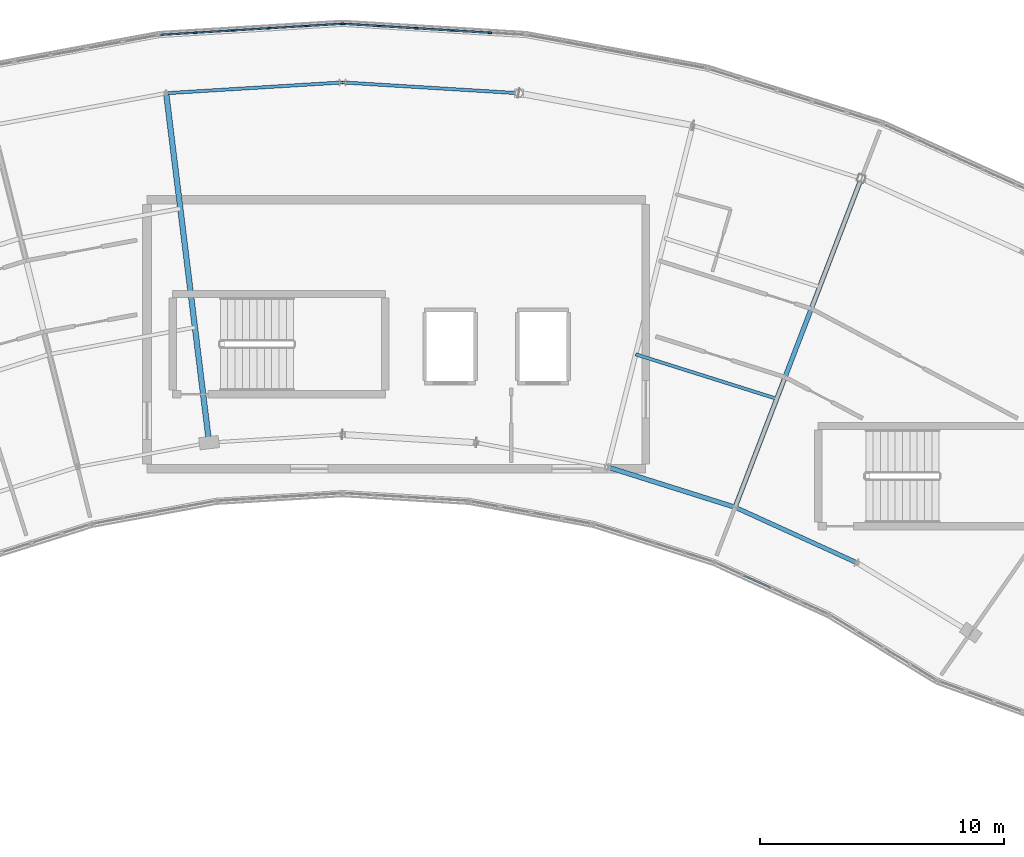
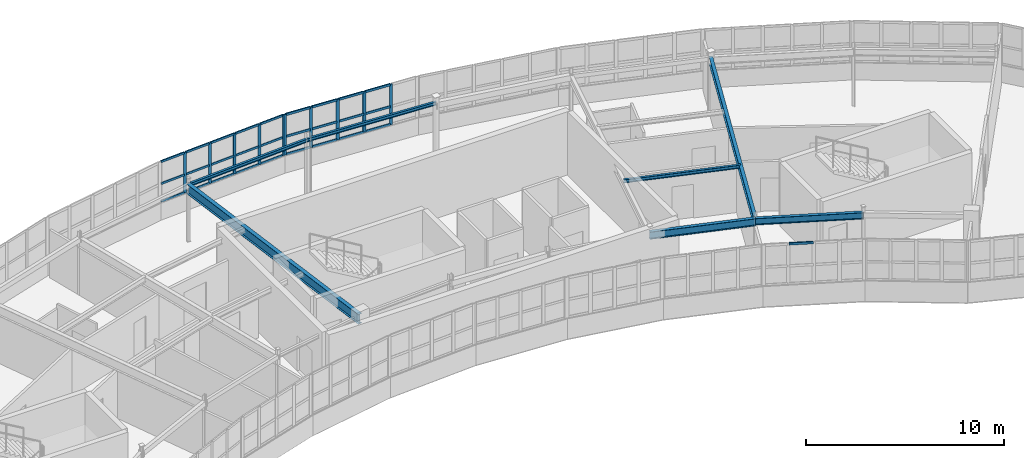
# One storey, part 31 of 65: 38 members, 7 beams, 3 elements without a shape of their own.
"""IFC4 building model written with IfcOpenShell, lengths in metres."""

from ifc_helpers import new_model, si_unit, direction, frame, origin, origin_2d, place, context, subcontext, project, spatial, rectangle, i_section, extrude, material, layer, layer_set, material_profile, profile_set, type_object, element, aggregate, save


model = new_model("IFC4")

# Units and contexts
model_context = context("Model", 3, precision=1e-05, world=origin(), true_north=direction((0.0, 1.0)))
body_context = subcontext(model_context, "Body", "Model", "MODEL_VIEW")
ifc_project = project(units=[si_unit("LENGTHUNIT", "METRE"), si_unit("AREAUNIT", "SQUARE_METRE"), si_unit("VOLUMEUNIT", "CUBIC_METRE"), si_unit("PLANEANGLEUNIT", "RADIAN"), si_unit("MASSUNIT", "GRAM", prefix="KILO")], contexts=[model_context])

# Site, building, storey
site_placement = place(None, origin())
site = spatial("IfcSite", under=ifc_project, at=site_placement, CompositionType="ELEMENT")
building_placement = place(site_placement, origin())
building = spatial("IfcBuilding", under=site, at=building_placement, Name="Tarnwether General Hospital", CompositionType="ELEMENT")
storey_placement = place(building_placement, frame((0.0, 0.0, 22.199951171875)))
storey = spatial("IfcBuildingStorey", under=building, at=storey_placement, Name="L05", CompositionType="ELEMENT", Elevation=22.199951171875)

# Beams
ifc_material_1 = material(Name="Steel Grade 350 (350 MPa)", Category="steel")
ifc_material_profile_1 = material_profile(ifc_material_1, i_section(OverallWidth=0.22802734375, OverallDepth=0.60205078125, WebThickness=0.010498046875, FlangeThickness=0.014892578125, at=origin_2d()), Name="610UB101")
ifc_profile_set_1 = profile_set([ifc_material_profile_1], Name="Steel Grade 350 (350 MPa)")
beam_type_1 = type_object("IfcBeamType", Name="BM-G05", PredefinedType="BEAM", material=ifc_profile_set_1)
beam_1_placement = place(storey_placement, frame((84.784912109375, 121.759033203125, 3.259033203125), z_axis=(0.121881045946, -0.99254471468, 0.0), x_axis=(0.99254471468, 0.121881045946, 0.0)))
element("IfcBeam", 1, at=beam_1_placement, inside=storey, type_object=beam_type_1, Name="Curved Ward NW Radial Girder BMG-L05-8478_12176-8654_10747-1984", PredefinedType="BEAM", context=body_context, shape_type="SweptSolid", body=[
    extrude(i_section(OverallWidth=0.22802734375, OverallDepth=0.60205078125, WebThickness=0.010498046875, FlangeThickness=0.014892578125, at=origin_2d()), origin(), (0.0, 0.0, 1.0), 14.400390625),
])
ifc_material_2 = material(Name="Steel Grade 350 (350 MPa)", Category="steel")
ifc_material_profile_2 = material_profile(ifc_material_2, i_section(OverallWidth=0.18994140625, OverallDepth=0.45703125, WebThickness=0.009033203125, FlangeThickness=0.014404296875, at=origin_2d()), Name="460UB74.6")
ifc_profile_set_2 = profile_set([ifc_material_profile_2], Name="Steel Grade 350 (350 MPa)")
beam_type_2 = type_object("IfcBeamType", Name="BM-G09", PredefinedType="BEAM", material=ifc_profile_set_2)
beam_2_placement = place(storey_placement, frame((113.215087890625, 118.26806640625, 3.33154296875), z_axis=(-0.358334838026, -0.933593136145, 0.0), x_axis=(0.933593136145, -0.358334838026, 0.0)))
element("IfcBeam", 2, at=beam_2_placement, inside=storey, type_object=beam_type_2, Name="Curved Ward NW Radial Girder BMG-L05-11322_11827-10806_10482-1986", PredefinedType="BEAM", context=body_context, shape_type="SweptSolid", body=[
    extrude(i_section(OverallWidth=0.18994140625, OverallDepth=0.45703125, WebThickness=0.009033203125, FlangeThickness=0.014404296875, at=origin_2d()), origin(), (0.0, 0.0, 1.0), 14.400390625),
])
ifc_material_3 = material(Name="Steel Grade 350 (350 MPa)", Category="steel")
ifc_material_profile_3 = material_profile(ifc_material_3, i_section(OverallWidth=0.134033203125, OverallDepth=0.20703125, WebThickness=0.00634765625, FlangeThickness=0.009521484375, at=origin_2d()), Name="200UB29.8")
ifc_profile_set_3 = profile_set([ifc_material_profile_3], Name="Steel Grade 350 (350 MPa)")
beam_type_3 = type_object("IfcBeamType", Name="BM-J12", PredefinedType="JOIST", material=ifc_profile_set_3)
beam_3_placement = place(storey_placement, frame((103.988037109375, 111.080078125, 3.45654296875), z_axis=(0.953725879816, -0.300677478654, 0.0), x_axis=(0.300677478654, 0.953725879816, 0.0)))
element("IfcBeam", 3, at=beam_3_placement, inside=storey, type_object=beam_type_3, Name="Curved Ward NW Chord Joist BMG-L05-10399_11108-10976_10926-2008", PredefinedType="JOIST", context=body_context, shape_type="SweptSolid", body=[
    extrude(i_section(OverallWidth=0.134033203125, OverallDepth=0.20703125, WebThickness=0.00634765625, FlangeThickness=0.009521484375, at=origin_2d()), origin(), (0.0, 0.0, 1.0), 6.050048828125),
])
ifc_material_4 = material(Name="Steel Grade 350 (350 MPa)", Category="steel")
ifc_material_profile_4 = material_profile(ifc_material_4, i_section(OverallWidth=0.18994140625, OverallDepth=0.4541015625, WebThickness=0.008544921875, FlangeThickness=0.0126953125, at=origin_2d()), Name="460UB67.1")
ifc_profile_set_4 = profile_set([ifc_material_profile_4], Name="Steel Grade 350 (350 MPa)")
beam_type_4 = type_object("IfcBeamType", Name="BM-SP1", PredefinedType="SPANDREL", material=ifc_profile_set_4)
beam_4_placement = place(storey_placement, frame((102.837890625, 106.468994140625, 3.3330078125), z_axis=(0.953712084488, -0.300721232874, 0.0), x_axis=(0.300721232874, 0.953712084488, 0.0)))
element("IfcBeam", 4, at=beam_4_placement, inside=storey, type_object=beam_type_4, Name="Curved Ward NW Inner Spandrel BMG-L05-10284_10647-10806_10482-2006", PredefinedType="SPANDREL", context=body_context, shape_type="SweptSolid", body=[
    extrude(i_section(OverallWidth=0.18994140625, OverallDepth=0.4541015625, WebThickness=0.008544921875, FlangeThickness=0.0126953125, at=origin_2d()), origin(), (0.0, 0.0, 1.0), 5.47021484375),
])
ifc_material_5 = material(Name="Steel Grade 350 (350 MPa)", Category="steel")
ifc_material_profile_5 = material_profile(ifc_material_5, i_section(OverallWidth=0.177978515625, OverallDepth=0.403076171875, WebThickness=0.007568359375, FlangeThickness=0.010986328125, at=origin_2d()), Name="410UB53.7")
ifc_profile_set_5 = profile_set([ifc_material_profile_5], Name="Steel Grade 350 (350 MPa)")
beam_type_5 = type_object("IfcBeamType", Name="BM-SP2", PredefinedType="SPANDREL", material=ifc_profile_set_5)
beam_5_placement = place(storey_placement, frame((108.054931640625, 104.823974609375, 3.358642578125), z_axis=(0.909968605358, -0.414677148228, 0.0), x_axis=(0.414677148228, 0.909968605358, 0.0)))
element("IfcBeam", 5, at=beam_5_placement, inside=storey, type_object=beam_type_5, Name="Curved Ward NW Inner Spandrel BMG-L05-10806_10482-11303_10256-2010", PredefinedType="SPANDREL", context=body_context, shape_type="SweptSolid", body=[
    extrude(i_section(OverallWidth=0.177978515625, OverallDepth=0.403076171875, WebThickness=0.007568359375, FlangeThickness=0.010986328125, at=origin_2d()), origin(), (0.0, 0.0, 1.0), 5.469482421875),
])
ifc_material_6 = material(Name="Steel Grade 350 (350 MPa)", Category="steel")
ifc_material_profile_6 = material_profile(ifc_material_6, i_section(OverallWidth=0.133056640625, OverallDepth=0.202880859375, WebThickness=0.005859375, FlangeThickness=0.0078125, at=origin_2d()), Name="200UB25.4")
ifc_profile_set_6 = profile_set([ifc_material_profile_6], Name="Steel Grade 350 (350 MPa)")
beam_type_6 = type_object("IfcBeamType", Name="BM-SP5", PredefinedType="SPANDREL", material=ifc_profile_set_6)
beam_6_placement = place(storey_placement, frame((84.784912109375, 121.759033203125, 3.45849609375), z_axis=(0.998137964221, 0.060996757127, 0.0), x_axis=(-0.060996757127, 0.998137964221, 0.0)))
element("IfcBeam", 6, at=beam_6_placement, inside=storey, type_object=beam_type_6, Name="Curved Ward NW Outer Spandrel BMG-L05-8478_12176-9200_12220-1999", PredefinedType="SPANDREL", context=body_context, shape_type="SweptSolid", body=[
    extrude(i_section(OverallWidth=0.133056640625, OverallDepth=0.202880859375, WebThickness=0.005859375, FlangeThickness=0.0078125, at=origin_2d()), origin(), (0.0, 0.0, 1.0), 7.228515625),
])
ifc_material_7 = material(Name="Steel Grade 350 (350 MPa)", Category="steel")
ifc_material_profile_7 = material_profile(ifc_material_7, i_section(OverallWidth=0.133056640625, OverallDepth=0.201904296875, WebThickness=0.0048828125, FlangeThickness=0.007080078125, at=origin_2d()), Name="200UB22.3")
ifc_profile_set_7 = profile_set([ifc_material_profile_7], Name="Steel Grade 350 (350 MPa)")
beam_type_7 = type_object("IfcBeamType", Name="BM-SP6", PredefinedType="SPANDREL", material=ifc_profile_set_7)
beam_7_placement = place(storey_placement, frame((92.0, 122.199951171875, 3.458984375), z_axis=(0.998137964221, -0.060996757127, 0.0), x_axis=(0.060996757127, 0.998137964221, 0.0)))
element("IfcBeam", 7, at=beam_7_placement, inside=storey, type_object=beam_type_7, Name="Curved Ward NW Outer Spandrel BMG-L05-9200_12220-9922_12176-2001", PredefinedType="SPANDREL", context=body_context, shape_type="SweptSolid", body=[
    extrude(i_section(OverallWidth=0.133056640625, OverallDepth=0.201904296875, WebThickness=0.0048828125, FlangeThickness=0.007080078125, at=origin_2d()), origin(), (0.0, 0.0, 1.0), 7.228515625),
])

# Curtain wall, members
ifc_material_8 = material(Name="Anodised aluminium", Category="aluminium")
ifc_layer_1 = layer(ifc_material_8, 0.159912109375)
ifc_layer_set_1 = layer_set([ifc_layer_1], Name="Anodised aluminium")
curtain_wall_type_1 = type_object("IfcCurtainWallType", Name="CW-05", PredefinedType="NOTDEFINED", material=ifc_layer_set_1)
curtain_wall_1_placement = place(storey_placement, origin())
curtain_wall_1 = element("IfcCurtainWall", 8, at=curtain_wall_1_placement, inside=storey, type_object=curtain_wall_type_1, Name="Curtain Wall CWG-L05-920_1246-0090", PredefinedType="NOTDEFINED")
ifc_material_9 = material(Name="Anodised aluminium", Category="aluminium")
ifc_material_profile_8 = material_profile(ifc_material_9, rectangle(XDim=0.070068359375, YDim=0.179931640625, at=origin_2d()), Name="ALU-MUL-70x180")
ifc_profile_set_8 = profile_set([ifc_material_profile_8], Name="Anodised aluminium")
member_type_1 = type_object("IfcMemberType", Name="CW-ML2", PredefinedType="MULLION", material=ifc_profile_set_8)
member_1_placement = place(storey_placement, frame((92.034912109375, 124.597900390625, 1.050048828125), z_axis=(0.0, 0.0, 1.0), x_axis=(0.061028962567, 0.998135995608, 0.0)))
member_1 = element("IfcMember", 9, at=member_1_placement, type_object=member_type_1, Name="CW-05 mullion 1", PredefinedType="MULLION", context=body_context, shape_type="SweptSolid", body=[
    extrude(rectangle(XDim=0.070068359375, YDim=0.179931640625, at=origin_2d()), origin(), (0.0, 0.0, 1.0), 2.510009765625),
])
member_2_placement = place(storey_placement, frame((93.50146484375, 124.50830078125, 1.050048828125), z_axis=(0.0, 0.0, 1.0), x_axis=(0.061028962567, 0.998135995608, 0.0)))
member_2 = element("IfcMember", 10, at=member_2_placement, type_object=member_type_1, Name="CW-05 mullion 2", PredefinedType="MULLION", context=body_context, shape_type="SweptSolid", body=[
    extrude(rectangle(XDim=0.070068359375, YDim=0.179931640625, at=origin_2d()), origin(), (0.0, 0.0, 1.0), 2.510009765625),
])
member_3_placement = place(storey_placement, frame((95.002685546875, 124.41650390625, 1.050048828125), z_axis=(0.0, 0.0, 1.0), x_axis=(0.061028962567, 0.998135995608, 0.0)))
member_3 = element("IfcMember", 11, at=member_3_placement, type_object=member_type_1, Name="CW-05 mullion 3", PredefinedType="MULLION", context=body_context, shape_type="SweptSolid", body=[
    extrude(rectangle(XDim=0.070068359375, YDim=0.179931640625, at=origin_2d()), origin(), (0.0, 0.0, 1.0), 2.510009765625),
])
member_4_placement = place(storey_placement, frame((96.504150390625, 124.32470703125, 1.050048828125), z_axis=(0.0, 0.0, 1.0), x_axis=(0.061028962567, 0.998135995608, 0.0)))
member_4 = element("IfcMember", 12, at=member_4_placement, type_object=member_type_1, Name="CW-05 mullion 4", PredefinedType="MULLION", context=body_context, shape_type="SweptSolid", body=[
    extrude(rectangle(XDim=0.070068359375, YDim=0.179931640625, at=origin_2d()), origin(), (0.0, 0.0, 1.0), 2.510009765625),
])
member_5_placement = place(storey_placement, frame((98.005615234375, 124.23291015625, 1.050048828125), z_axis=(0.0, 0.0, 1.0), x_axis=(0.061028962567, 0.998135995608, 0.0)))
member_5 = element("IfcMember", 13, at=member_5_placement, type_object=member_type_1, Name="CW-05 mullion 5", PredefinedType="MULLION", context=body_context, shape_type="SweptSolid", body=[
    extrude(rectangle(XDim=0.070068359375, YDim=0.179931640625, at=origin_2d()), origin(), (0.0, 0.0, 1.0), 2.510009765625),
])

curtain_wall_2_placement = place(storey_placement, origin())
curtain_wall_2 = element("IfcCurtainWall", 14, at=curtain_wall_2_placement, inside=storey, type_object=curtain_wall_type_1, Name="Curtain Wall CWG-L05-845_1241-0091", PredefinedType="NOTDEFINED")
ifc_material_10 = material(Name="Anodised aluminium", Category="aluminium")
ifc_material_profile_9 = material_profile(ifc_material_10, rectangle(XDim=0.06494140625, YDim=0.169921875, at=origin_2d()), Name="ALU-MUL-65x170")
ifc_profile_set_9 = profile_set([ifc_material_profile_9], Name="Anodised aluminium")
member_type_2 = type_object("IfcMemberType", Name="CW-ML3", PredefinedType="MULLION", material=ifc_profile_set_9)
member_6_placement = place(storey_placement, frame((85.994384765625, 124.23291015625, 1.050048828125), z_axis=(0.0, 0.0, 1.0), x_axis=(-0.061028962567, 0.998135995608, 0.0)))
member_6 = element("IfcMember", 15, at=member_6_placement, type_object=member_type_2, Name="CW-05 mullion 2", PredefinedType="MULLION", context=body_context, shape_type="SweptSolid", body=[
    extrude(rectangle(XDim=0.06494140625, YDim=0.169921875, at=origin_2d()), origin(), (0.0, 0.0, 1.0), 2.510009765625),
])
member_7_placement = place(storey_placement, frame((87.495849609375, 124.32470703125, 1.050048828125), z_axis=(0.0, 0.0, 1.0), x_axis=(-0.061028962567, 0.998135995608, 0.0)))
member_7 = element("IfcMember", 16, at=member_7_placement, type_object=member_type_2, Name="CW-05 mullion 3", PredefinedType="MULLION", context=body_context, shape_type="SweptSolid", body=[
    extrude(rectangle(XDim=0.06494140625, YDim=0.169921875, at=origin_2d()), origin(), (0.0, 0.0, 1.0), 2.510009765625),
])
member_8_placement = place(storey_placement, frame((88.997314453125, 124.41650390625, 1.050048828125), z_axis=(0.0, 0.0, 1.0), x_axis=(-0.061028962567, 0.998135995608, 0.0)))
member_8 = element("IfcMember", 17, at=member_8_placement, type_object=member_type_2, Name="CW-05 mullion 4", PredefinedType="MULLION", context=body_context, shape_type="SweptSolid", body=[
    extrude(rectangle(XDim=0.06494140625, YDim=0.169921875, at=origin_2d()), origin(), (0.0, 0.0, 1.0), 2.510009765625),
])
member_9_placement = place(storey_placement, frame((90.49853515625, 124.50830078125, 1.050048828125), z_axis=(0.0, 0.0, 1.0), x_axis=(-0.061028962567, 0.998135995608, 0.0)))
member_9 = element("IfcMember", 18, at=member_9_placement, type_object=member_type_2, Name="CW-05 mullion 5", PredefinedType="MULLION", context=body_context, shape_type="SweptSolid", body=[
    extrude(rectangle(XDim=0.06494140625, YDim=0.169921875, at=origin_2d()), origin(), (0.0, 0.0, 1.0), 2.510009765625),
])
member_10_placement = place(storey_placement, frame((91.967529296875, 124.597900390625, 1.050048828125), z_axis=(0.0, 0.0, 1.0), x_axis=(-0.061028962567, 0.998135995608, 0.0)))
member_10 = element("IfcMember", 19, at=member_10_placement, type_object=member_type_2, Name="CW-05 mullion 6", PredefinedType="MULLION", context=body_context, shape_type="SweptSolid", body=[
    extrude(rectangle(XDim=0.06494140625, YDim=0.169921875, at=origin_2d()), origin(), (0.0, 0.0, 1.0), 2.510009765625),
])

# Curtain wall, member
ifc_material_11 = material(Name="Anodised aluminium", Category="aluminium")
ifc_layer_2 = layer(ifc_material_11, 0.159912109375)
ifc_layer_set_2 = layer_set([ifc_layer_2], Name="Anodised aluminium")
curtain_wall_type_2 = type_object("IfcCurtainWallType", Name="CW-03", PredefinedType="NOTDEFINED", material=ifc_layer_set_2)
curtain_wall_3_placement = place(storey_placement, origin())
curtain_wall_3 = element("IfcCurtainWall", 20, at=curtain_wall_3_placement, inside=storey, type_object=curtain_wall_type_2, Name="Curtain Wall CWG-L05-1119_1004-0078", PredefinedType="NOTDEFINED")
ifc_material_12 = material(Name="Anodised aluminium", Category="aluminium")
ifc_material_profile_10 = material_profile(ifc_material_12, rectangle(XDim=0.070068359375, YDim=0.139892578125, at=origin_2d()), Name="ALU-TRN-70x140")
ifc_profile_set_10 = profile_set([ifc_material_profile_10], Name="Anodised aluminium")
member_type_3 = type_object("IfcMemberType", Name="CW-TR2", PredefinedType="USERDEFINED", material=ifc_profile_set_10)
member_11_placement = place(storey_placement, frame((109.5185546875, 101.52490234375, 3.525146484375), z_axis=(-0.909922054597, 0.414779284147, 0.0), x_axis=(-0.414779284147, -0.909922054597, 0.0)))
member_11 = element("IfcMember", 21, at=member_11_placement, type_object=member_type_3, Name="CW-03 transom 3.3", ObjectType="TRANSOM", PredefinedType="USERDEFINED", context=body_context, shape_type="SweptSolid", body=[
    extrude(rectangle(XDim=0.070068359375, YDim=0.139892578125, at=origin_2d()), origin(), (0.0, 0.0, 1.0), 1.224365234375),
])
aggregate(curtain_wall_3, [member_11])

# Member
member_12_placement = place(storey_placement, frame((92.06982421875, 124.595703125, 1.0849609375), z_axis=(0.998133855848, -0.061063948531, 0.0), x_axis=(0.061063948531, 0.998133855848, 0.0)))
member_12 = element("IfcMember", 22, at=member_12_placement, type_object=member_type_3, Name="CW-05 transom 1.1", ObjectType="TRANSOM", PredefinedType="USERDEFINED", context=body_context, shape_type="SweptSolid", body=[
    extrude(rectangle(XDim=0.070068359375, YDim=0.139892578125, at=origin_2d()), origin(), (0.0, 0.0, 1.0), 1.3994140625),
])

member_13_placement = place(storey_placement, frame((92.06982421875, 124.595703125, 2.179443359375), z_axis=(0.998133855848, -0.061063948531, 0.0), x_axis=(0.061063948531, 0.998133855848, 0.0)))
member_13 = element("IfcMember", 23, at=member_13_placement, type_object=member_type_3, Name="CW-05 transom 1.2", ObjectType="TRANSOM", PredefinedType="USERDEFINED", context=body_context, shape_type="SweptSolid", body=[
    extrude(rectangle(XDim=0.070068359375, YDim=0.139892578125, at=origin_2d()), origin(), (0.0, 0.0, 1.0), 1.3994140625),
])

member_14_placement = place(storey_placement, frame((92.06982421875, 124.595703125, 3.525146484375), z_axis=(0.998133855848, -0.061063948531, 0.0), x_axis=(0.061063948531, 0.998133855848, 0.0)))
member_14 = element("IfcMember", 24, at=member_14_placement, type_object=member_type_3, Name="CW-05 transom 1.3", ObjectType="TRANSOM", PredefinedType="USERDEFINED", context=body_context, shape_type="SweptSolid", body=[
    extrude(rectangle(XDim=0.070068359375, YDim=0.139892578125, at=origin_2d()), origin(), (0.0, 0.0, 1.0), 1.3994140625),
])

member_15_placement = place(storey_placement, frame((93.536376953125, 124.506103515625, 1.0849609375), z_axis=(0.998130609701, -0.061116985994, 0.0), x_axis=(0.061116985994, 0.998130609701, 0.0)))
member_15 = element("IfcMember", 25, at=member_15_placement, type_object=member_type_3, Name="CW-05 transom 2.1", ObjectType="TRANSOM", PredefinedType="USERDEFINED", context=body_context, shape_type="SweptSolid", body=[
    extrude(rectangle(XDim=0.070068359375, YDim=0.139892578125, at=origin_2d()), origin(), (0.0, 0.0, 1.0), 1.43408203125),
])

member_16_placement = place(storey_placement, frame((93.536376953125, 124.506103515625, 2.179443359375), z_axis=(0.998130609701, -0.061116985994, 0.0), x_axis=(0.061116985994, 0.998130609701, 0.0)))
member_16 = element("IfcMember", 26, at=member_16_placement, type_object=member_type_3, Name="CW-05 transom 2.2", ObjectType="TRANSOM", PredefinedType="USERDEFINED", context=body_context, shape_type="SweptSolid", body=[
    extrude(rectangle(XDim=0.070068359375, YDim=0.139892578125, at=origin_2d()), origin(), (0.0, 0.0, 1.0), 1.43408203125),
])

member_17_placement = place(storey_placement, frame((93.536376953125, 124.506103515625, 3.525146484375), z_axis=(0.998130609701, -0.061116985994, 0.0), x_axis=(0.061116985994, 0.998130609701, 0.0)))
member_17 = element("IfcMember", 27, at=member_17_placement, type_object=member_type_3, Name="CW-05 transom 2.3", ObjectType="TRANSOM", PredefinedType="USERDEFINED", context=body_context, shape_type="SweptSolid", body=[
    extrude(rectangle(XDim=0.070068359375, YDim=0.139892578125, at=origin_2d()), origin(), (0.0, 0.0, 1.0), 1.43408203125),
])

member_18_placement = place(storey_placement, frame((95.037841796875, 124.414306640625, 1.0849609375), z_axis=(0.998130609701, -0.061116985994, 0.0), x_axis=(0.061116985994, 0.998130609701, 0.0)))
member_18 = element("IfcMember", 28, at=member_18_placement, type_object=member_type_3, Name="CW-05 transom 3.1", ObjectType="TRANSOM", PredefinedType="USERDEFINED", context=body_context, shape_type="SweptSolid", body=[
    extrude(rectangle(XDim=0.070068359375, YDim=0.139892578125, at=origin_2d()), origin(), (0.0, 0.0, 1.0), 1.43408203125),
])

member_19_placement = place(storey_placement, frame((95.037841796875, 124.414306640625, 2.179443359375), z_axis=(0.998130609701, -0.061116985994, 0.0), x_axis=(0.061116985994, 0.998130609701, 0.0)))
member_19 = element("IfcMember", 29, at=member_19_placement, type_object=member_type_3, Name="CW-05 transom 3.2", ObjectType="TRANSOM", PredefinedType="USERDEFINED", context=body_context, shape_type="SweptSolid", body=[
    extrude(rectangle(XDim=0.070068359375, YDim=0.139892578125, at=origin_2d()), origin(), (0.0, 0.0, 1.0), 1.43408203125),
])

member_20_placement = place(storey_placement, frame((95.037841796875, 124.414306640625, 3.525146484375), z_axis=(0.998130609701, -0.061116985994, 0.0), x_axis=(0.061116985994, 0.998130609701, 0.0)))
member_20 = element("IfcMember", 30, at=member_20_placement, type_object=member_type_3, Name="CW-05 transom 3.3", ObjectType="TRANSOM", PredefinedType="USERDEFINED", context=body_context, shape_type="SweptSolid", body=[
    extrude(rectangle(XDim=0.070068359375, YDim=0.139892578125, at=origin_2d()), origin(), (0.0, 0.0, 1.0), 1.43408203125),
])

member_21_placement = place(storey_placement, frame((96.5390625, 124.322509765625, 1.0849609375), z_axis=(0.998131245443, -0.061106602509, 0.0), x_axis=(0.061106602509, 0.998131245443, 0.0)))
member_21 = element("IfcMember", 31, at=member_21_placement, type_object=member_type_3, Name="CW-05 transom 4.1", ObjectType="TRANSOM", PredefinedType="USERDEFINED", context=body_context, shape_type="SweptSolid", body=[
    extrude(rectangle(XDim=0.070068359375, YDim=0.139892578125, at=origin_2d()), origin(), (0.0, 0.0, 1.0), 1.434326171875),
])

member_22_placement = place(storey_placement, frame((96.5390625, 124.322509765625, 2.179443359375), z_axis=(0.998131245443, -0.061106602509, 0.0), x_axis=(0.061106602509, 0.998131245443, 0.0)))
member_22 = element("IfcMember", 32, at=member_22_placement, type_object=member_type_3, Name="CW-05 transom 4.2", ObjectType="TRANSOM", PredefinedType="USERDEFINED", context=body_context, shape_type="SweptSolid", body=[
    extrude(rectangle(XDim=0.070068359375, YDim=0.139892578125, at=origin_2d()), origin(), (0.0, 0.0, 1.0), 1.434326171875),
])

member_23_placement = place(storey_placement, frame((96.5390625, 124.322509765625, 3.525146484375), z_axis=(0.998131245443, -0.061106602509, 0.0), x_axis=(0.061106602509, 0.998131245443, 0.0)))
member_23 = element("IfcMember", 33, at=member_23_placement, type_object=member_type_3, Name="CW-05 transom 4.3", ObjectType="TRANSOM", PredefinedType="USERDEFINED", context=body_context, shape_type="SweptSolid", body=[
    extrude(rectangle(XDim=0.070068359375, YDim=0.139892578125, at=origin_2d()), origin(), (0.0, 0.0, 1.0), 1.434326171875),
])

aggregate(curtain_wall_1, [member_1, member_2, member_3, member_4, member_5, member_12, member_13, member_14, member_15, member_16, member_17, member_18, member_19, member_20, member_21, member_22, member_23])

ifc_material_13 = material(Name="Anodised aluminium", Category="aluminium")
ifc_material_profile_11 = material_profile(ifc_material_13, rectangle(XDim=0.06494140625, YDim=0.1298828125, at=origin_2d()), Name="ALU-TRN-65x130")
ifc_profile_set_11 = profile_set([ifc_material_profile_11], Name="Anodised aluminium")
member_type_4 = type_object("IfcMemberType", Name="CW-TR3", PredefinedType="USERDEFINED", material=ifc_profile_set_11)
member_24_placement = place(storey_placement, frame((84.557861328125, 124.14501953125, 1.08251953125), z_axis=(0.998142682054, 0.060919506416, 0.0), x_axis=(-0.060919506416, 0.998142682054, 0.0)))
member_24 = element("IfcMember", 34, at=member_24_placement, type_object=member_type_4, Name="CW-05 transom 1.1", ObjectType="TRANSOM", PredefinedType="USERDEFINED", context=body_context, shape_type="SweptSolid", body=[
    extrude(rectangle(XDim=0.06494140625, YDim=0.1298828125, at=origin_2d()), origin(), (0.0, 0.0, 1.0), 1.40673828125),
])

member_25_placement = place(storey_placement, frame((84.557861328125, 124.14501953125, 2.179443359375), z_axis=(0.998142682054, 0.060919506416, 0.0), x_axis=(-0.060919506416, 0.998142682054, 0.0)))
member_25 = element("IfcMember", 35, at=member_25_placement, type_object=member_type_4, Name="CW-05 transom 1.2", ObjectType="TRANSOM", PredefinedType="USERDEFINED", context=body_context, shape_type="SweptSolid", body=[
    extrude(rectangle(XDim=0.06494140625, YDim=0.1298828125, at=origin_2d()), origin(), (0.0, 0.0, 1.0), 1.40673828125),
])

member_26_placement = place(storey_placement, frame((84.557861328125, 124.14501953125, 3.527587890625), z_axis=(0.998142682054, 0.060919506416, 0.0), x_axis=(-0.060919506416, 0.998142682054, 0.0)))
member_26 = element("IfcMember", 36, at=member_26_placement, type_object=member_type_4, Name="CW-05 transom 1.3", ObjectType="TRANSOM", PredefinedType="USERDEFINED", context=body_context, shape_type="SweptSolid", body=[
    extrude(rectangle(XDim=0.06494140625, YDim=0.1298828125, at=origin_2d()), origin(), (0.0, 0.0, 1.0), 1.40673828125),
])

member_27_placement = place(storey_placement, frame((86.02685546875, 124.23486328125, 1.08251953125), z_axis=(0.998143892538, 0.060899669854, 0.0), x_axis=(-0.060899669854, 0.998143892538, 0.0)))
member_27 = element("IfcMember", 37, at=member_27_placement, type_object=member_type_4, Name="CW-05 transom 2.1", ObjectType="TRANSOM", PredefinedType="USERDEFINED", context=body_context, shape_type="SweptSolid", body=[
    extrude(rectangle(XDim=0.06494140625, YDim=0.1298828125, at=origin_2d()), origin(), (0.0, 0.0, 1.0), 1.439208984375),
])

member_28_placement = place(storey_placement, frame((86.02685546875, 124.23486328125, 2.179443359375), z_axis=(0.998143892538, 0.060899669854, 0.0), x_axis=(-0.060899669854, 0.998143892538, 0.0)))
member_28 = element("IfcMember", 38, at=member_28_placement, type_object=member_type_4, Name="CW-05 transom 2.2", ObjectType="TRANSOM", PredefinedType="USERDEFINED", context=body_context, shape_type="SweptSolid", body=[
    extrude(rectangle(XDim=0.06494140625, YDim=0.1298828125, at=origin_2d()), origin(), (0.0, 0.0, 1.0), 1.439208984375),
])

member_29_placement = place(storey_placement, frame((86.02685546875, 124.23486328125, 3.527587890625), z_axis=(0.998143892538, 0.060899669854, 0.0), x_axis=(-0.060899669854, 0.998143892538, 0.0)))
member_29 = element("IfcMember", 39, at=member_29_placement, type_object=member_type_4, Name="CW-05 transom 2.3", ObjectType="TRANSOM", PredefinedType="USERDEFINED", context=body_context, shape_type="SweptSolid", body=[
    extrude(rectangle(XDim=0.06494140625, YDim=0.1298828125, at=origin_2d()), origin(), (0.0, 0.0, 1.0), 1.439208984375),
])

member_30_placement = place(storey_placement, frame((87.5283203125, 124.32666015625, 1.08251953125), z_axis=(0.998143892538, 0.060899669854, 0.0), x_axis=(-0.060899669854, 0.998143892538, 0.0)))
member_30 = element("IfcMember", 40, at=member_30_placement, type_object=member_type_4, Name="CW-05 transom 3.1", ObjectType="TRANSOM", PredefinedType="USERDEFINED", context=body_context, shape_type="SweptSolid", body=[
    extrude(rectangle(XDim=0.06494140625, YDim=0.1298828125, at=origin_2d()), origin(), (0.0, 0.0, 1.0), 1.439208984375),
])

member_31_placement = place(storey_placement, frame((87.5283203125, 124.32666015625, 2.179443359375), z_axis=(0.998143892538, 0.060899669854, 0.0), x_axis=(-0.060899669854, 0.998143892538, 0.0)))
member_31 = element("IfcMember", 41, at=member_31_placement, type_object=member_type_4, Name="CW-05 transom 3.2", ObjectType="TRANSOM", PredefinedType="USERDEFINED", context=body_context, shape_type="SweptSolid", body=[
    extrude(rectangle(XDim=0.06494140625, YDim=0.1298828125, at=origin_2d()), origin(), (0.0, 0.0, 1.0), 1.439208984375),
])

member_32_placement = place(storey_placement, frame((87.5283203125, 124.32666015625, 3.527587890625), z_axis=(0.998143892538, 0.060899669854, 0.0), x_axis=(-0.060899669854, 0.998143892538, 0.0)))
member_32 = element("IfcMember", 42, at=member_32_placement, type_object=member_type_4, Name="CW-05 transom 3.3", ObjectType="TRANSOM", PredefinedType="USERDEFINED", context=body_context, shape_type="SweptSolid", body=[
    extrude(rectangle(XDim=0.06494140625, YDim=0.1298828125, at=origin_2d()), origin(), (0.0, 0.0, 1.0), 1.439208984375),
])

member_33_placement = place(storey_placement, frame((89.029541015625, 124.41845703125, 1.08251953125), z_axis=(0.998143892538, 0.060899669854, 0.0), x_axis=(-0.060899669854, 0.998143892538, 0.0)))
member_33 = element("IfcMember", 43, at=member_33_placement, type_object=member_type_4, Name="CW-05 transom 4.1", ObjectType="TRANSOM", PredefinedType="USERDEFINED", context=body_context, shape_type="SweptSolid", body=[
    extrude(rectangle(XDim=0.06494140625, YDim=0.1298828125, at=origin_2d()), origin(), (0.0, 0.0, 1.0), 1.439208984375),
])

member_34_placement = place(storey_placement, frame((89.029541015625, 124.41845703125, 2.179443359375), z_axis=(0.998143892538, 0.060899669854, 0.0), x_axis=(-0.060899669854, 0.998143892538, 0.0)))
member_34 = element("IfcMember", 44, at=member_34_placement, type_object=member_type_4, Name="CW-05 transom 4.2", ObjectType="TRANSOM", PredefinedType="USERDEFINED", context=body_context, shape_type="SweptSolid", body=[
    extrude(rectangle(XDim=0.06494140625, YDim=0.1298828125, at=origin_2d()), origin(), (0.0, 0.0, 1.0), 1.439208984375),
])

member_35_placement = place(storey_placement, frame((89.029541015625, 124.41845703125, 3.527587890625), z_axis=(0.998143892538, 0.060899669854, 0.0), x_axis=(-0.060899669854, 0.998143892538, 0.0)))
member_35 = element("IfcMember", 45, at=member_35_placement, type_object=member_type_4, Name="CW-05 transom 4.3", ObjectType="TRANSOM", PredefinedType="USERDEFINED", context=body_context, shape_type="SweptSolid", body=[
    extrude(rectangle(XDim=0.06494140625, YDim=0.1298828125, at=origin_2d()), origin(), (0.0, 0.0, 1.0), 1.439208984375),
])

member_36_placement = place(storey_placement, frame((90.531005859375, 124.51025390625, 1.08251953125), z_axis=(0.998142682054, 0.060919506416, 0.0), x_axis=(-0.060919506416, 0.998142682054, 0.0)))
member_36 = element("IfcMember", 46, at=member_36_placement, type_object=member_type_4, Name="CW-05 transom 5.1", ObjectType="TRANSOM", PredefinedType="USERDEFINED", context=body_context, shape_type="SweptSolid", body=[
    extrude(rectangle(XDim=0.06494140625, YDim=0.1298828125, at=origin_2d()), origin(), (0.0, 0.0, 1.0), 1.40673828125),
])

member_37_placement = place(storey_placement, frame((90.531005859375, 124.51025390625, 2.179443359375), z_axis=(0.998142682054, 0.060919506416, 0.0), x_axis=(-0.060919506416, 0.998142682054, 0.0)))
member_37 = element("IfcMember", 47, at=member_37_placement, type_object=member_type_4, Name="CW-05 transom 5.2", ObjectType="TRANSOM", PredefinedType="USERDEFINED", context=body_context, shape_type="SweptSolid", body=[
    extrude(rectangle(XDim=0.06494140625, YDim=0.1298828125, at=origin_2d()), origin(), (0.0, 0.0, 1.0), 1.40673828125),
])

member_38_placement = place(storey_placement, frame((90.531005859375, 124.51025390625, 3.527587890625), z_axis=(0.998142682054, 0.060919506416, 0.0), x_axis=(-0.060919506416, 0.998142682054, 0.0)))
member_38 = element("IfcMember", 48, at=member_38_placement, type_object=member_type_4, Name="CW-05 transom 5.3", ObjectType="TRANSOM", PredefinedType="USERDEFINED", context=body_context, shape_type="SweptSolid", body=[
    extrude(rectangle(XDim=0.06494140625, YDim=0.1298828125, at=origin_2d()), origin(), (0.0, 0.0, 1.0), 1.40673828125),
])

aggregate(curtain_wall_2, [member_6, member_7, member_8, member_9, member_10, member_24, member_25, member_26, member_27, member_28, member_29, member_30, member_31, member_32, member_33, member_34, member_35, member_36, member_37, member_38])

save(model, "model.ifc")
